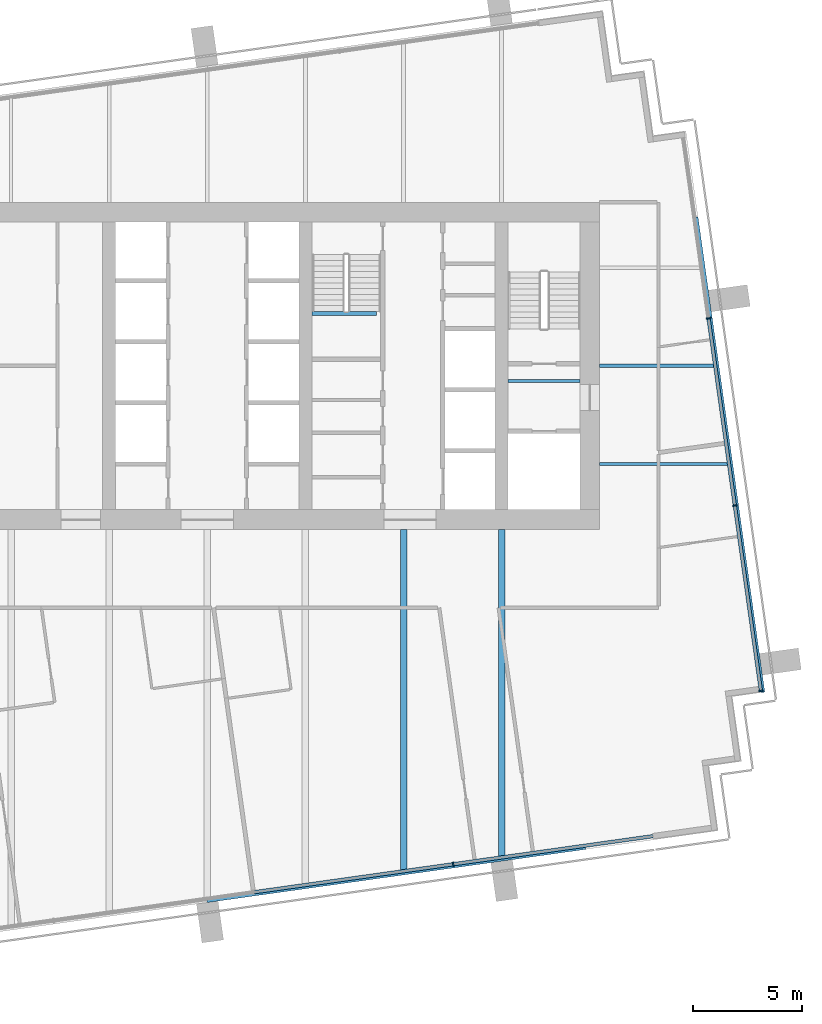
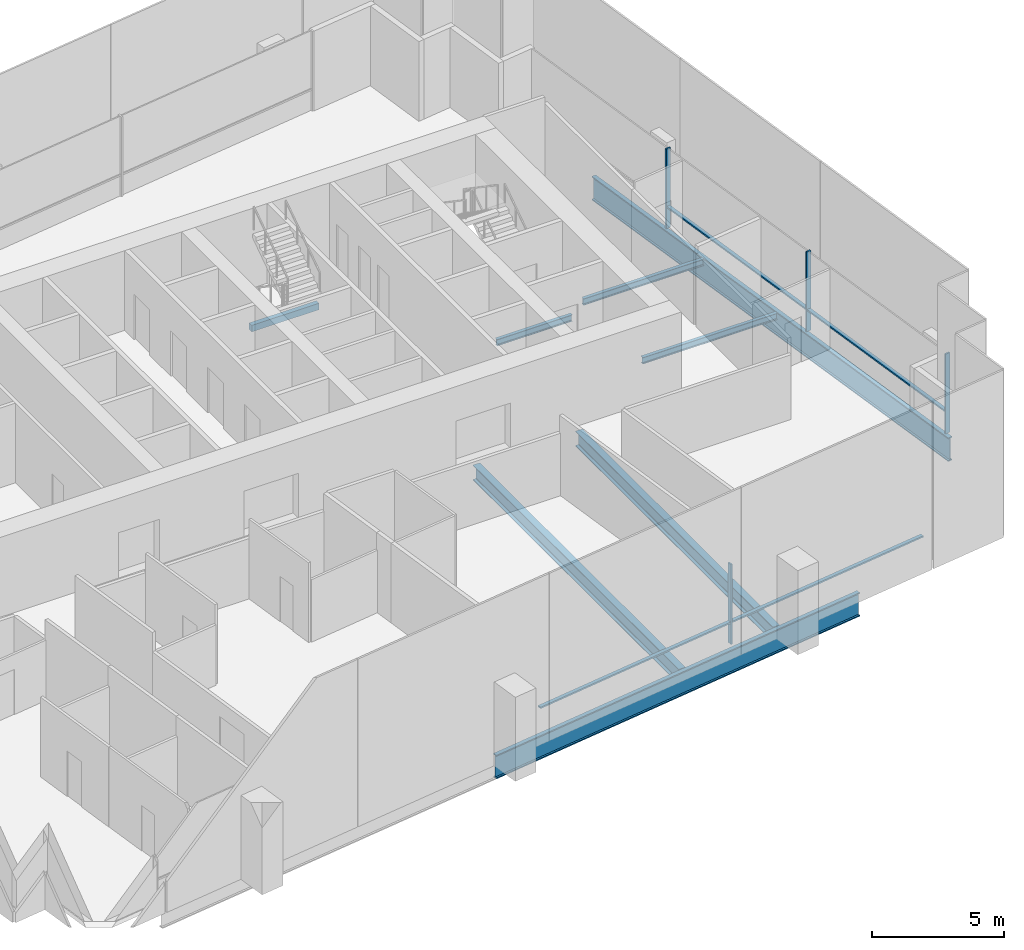
# One storey, part 4 of 15: 8 beams, 8 members, 2 elements without a shape of their own.
"""IFC4 building model written with IfcOpenShell, lengths in metres."""

from ifc_helpers import new_model, si_unit, direction, frame, origin, origin_2d, place, context, subcontext, project, spatial, rectangle, i_section, extrude, material, layer, layer_set, material_profile, profile_set, type_object, element, aggregate, save


model = new_model("IFC4")

# Units and contexts
model_context = context("Model", 3, precision=1e-05, world=origin(), true_north=direction((0.0, 1.0)))
body_context = subcontext(model_context, "Body", "Model", "MODEL_VIEW")
ifc_project = project(units=[si_unit("LENGTHUNIT", "METRE"), si_unit("AREAUNIT", "SQUARE_METRE"), si_unit("VOLUMEUNIT", "CUBIC_METRE"), si_unit("PLANEANGLEUNIT", "RADIAN"), si_unit("MASSUNIT", "GRAM", prefix="KILO")], contexts=[model_context])

# Site, building, storey
site_placement = place(None, origin())
site = spatial("IfcSite", under=ifc_project, at=site_placement, CompositionType="ELEMENT")
building_placement = place(site_placement, origin())
building = spatial("IfcBuilding", under=site, at=building_placement, Name="Rattan Terrace Tower", CompositionType="ELEMENT")
storey_placement = place(building_placement, frame((0.0, 0.0, 266.800048828125)))
storey = spatial("IfcBuildingStorey", under=building, at=storey_placement, Name="L61", CompositionType="ELEMENT", Elevation=266.800048828125)

# Beams
ifc_material_1 = material(Name="Concrete C40/50", Category="concrete")
ifc_material_profile_1 = material_profile(ifc_material_1, rectangle(XDim=0.199951171875, YDim=0.300048828125, at=origin_2d()), Name="RC 200x300")
ifc_profile_set_1 = profile_set([ifc_material_profile_1], Name="Concrete C40/50")
beam_type_1 = type_object("IfcBeamType", Name="Core landing beam RC 200x300", PredefinedType="BEAM", material=ifc_profile_set_1)
beam_1_placement = place(storey_placement, frame((4.800048828125, 2.39990234375, 1.599853515625), z_axis=(1.0, 0.0, 0.0), x_axis=(0.0, 1.0, 0.0)))
element("IfcBeam", 1, at=beam_1_placement, inside=storey, type_object=beam_type_1, Name="st-S3-L61 landing 1 edge beam", PredefinedType="BEAM", context=body_context, shape_type="SweptSolid", body=[
    extrude(rectangle(XDim=0.199951171875, YDim=0.300048828125, at=origin_2d()), origin(), (0.0, 0.0, 1.0), 2.949951171875),
])
ifc_material_2 = material(Name="Steel S460", Category="steel")
ifc_material_profile_2 = material_profile(ifc_material_2, i_section(OverallWidth=0.179931640625, OverallDepth=1.10009765625, WebThickness=0.01611328125, FlangeThickness=0.050048828125, at=origin_2d()), Name="PG 1100x180-16-50")
ifc_profile_set_2 = profile_set([ifc_material_profile_2], Name="Steel S460")
beam_type_2 = type_object("IfcBeamType", Name="Frame edge girder PG 1100x180-16-50", PredefinedType="SPANDREL", material=ifc_profile_set_2)
beam_2_placement = place(storey_placement, frame((17.347900390625, -22.087890625, -0.75), z_axis=(-0.990265878298, -0.139188685889, 0.0), x_axis=(0.139188685889, -0.990265878298, 0.0)))
element("IfcBeam", 2, at=beam_2_placement, inside=storey, type_object=beam_type_2, Name="gdr-L61-002", PredefinedType="SPANDREL", context=body_context, shape_type="SweptSolid", body=[
    extrude(i_section(OverallWidth=0.179931640625, OverallDepth=1.10009765625, WebThickness=0.01611328125, FlangeThickness=0.050048828125, at=origin_2d()), origin(), (0.0, 0.0, 1.0), 17.531494140625),
])
beam_3_placement = place(storey_placement, frame((22.4189453125, 6.822998046875, -0.75), z_axis=(0.139180574959, -0.990267018311, 0.0), x_axis=(0.990267018311, 0.139180574959, 0.0)))
element("IfcBeam", 3, at=beam_3_placement, inside=storey, type_object=beam_type_2, Name="gdr-L61-004", PredefinedType="SPANDREL", context=body_context, shape_type="SweptSolid", body=[
    extrude(i_section(OverallWidth=0.179931640625, OverallDepth=1.10009765625, WebThickness=0.01611328125, FlangeThickness=0.050048828125, at=origin_2d()), origin(), (0.0, 0.0, 1.0), 22.014404296875),
])
ifc_material_3 = material(Name="Steel S355", Category="steel")
ifc_material_profile_3 = material_profile(ifc_material_3, i_section(OverallWidth=0.300048828125, OverallDepth=0.699951171875, WebThickness=0.01708984375, FlangeThickness=0.031982421875, FilletRadius=0.027099609375, at=origin_2d()), Name="HE 700 B")
ifc_profile_set_3 = profile_set([ifc_material_profile_3], Name="Steel S355")
beam_type_3 = type_object("IfcBeamType", Name="Frame floor beam HE 700 B", PredefinedType="JOIST", material=ifc_profile_set_3)
beam_4_placement = place(storey_placement, frame((9.0, -23.14892578125, -0.550048828125), z_axis=(0.0, 1.0, 0.0), x_axis=(-1.0, 0.0, 0.0)))
element("IfcBeam", 4, at=beam_4_placement, inside=storey, type_object=beam_type_3, Name="bm-L61-008", PredefinedType="JOIST", context=body_context, shape_type="SweptSolid", body=[
    extrude(i_section(OverallWidth=0.300048828125, OverallDepth=0.699951171875, WebThickness=0.01708984375, FlangeThickness=0.031982421875, FilletRadius=0.027099609375, at=origin_2d()), origin(), (0.0, 0.0, 1.0), 15.64892578125),
])
beam_5_placement = place(storey_placement, frame((13.5, -22.51708984375, -0.550048828125), z_axis=(0.0, 1.0, 0.0), x_axis=(-1.0, 0.0, 0.0)))
element("IfcBeam", 5, at=beam_5_placement, inside=storey, type_object=beam_type_3, Name="bm-L61-009", PredefinedType="JOIST", context=body_context, shape_type="SweptSolid", body=[
    extrude(i_section(OverallWidth=0.300048828125, OverallDepth=0.699951171875, WebThickness=0.01708984375, FlangeThickness=0.031982421875, FilletRadius=0.027099609375, at=origin_2d()), origin(), (0.0, 0.0, 1.0), 15.01708984375),
])
ifc_material_4 = material(Name="Steel S355", Category="steel")
ifc_material_profile_4 = material_profile(ifc_material_4, i_section(OverallWidth=0.14990234375, OverallDepth=0.300048828125, WebThickness=0.007080078125, FlangeThickness=0.0107421875, FilletRadius=0.014892578125, at=origin_2d()), Name="IPE 300")
ifc_profile_set_4 = profile_set([ifc_material_profile_4], Name="Steel S355")
beam_type_4 = type_object("IfcBeamType", Name="Frame floor beam IPE 300", PredefinedType="JOIST", material=ifc_profile_set_4)
beam_6_placement = place(storey_placement, frame((13.800048828125, -0.695068359375, -0.35009765625), z_axis=(1.0, 0.0, 0.0), x_axis=(0.0, 1.0, 0.0)))
element("IfcBeam", 6, at=beam_6_placement, inside=storey, type_object=beam_type_4, Name="bm-L61-002", PredefinedType="JOIST", context=body_context, shape_type="SweptSolid", body=[
    extrude(i_section(OverallWidth=0.14990234375, OverallDepth=0.300048828125, WebThickness=0.007080078125, FlangeThickness=0.0107421875, FilletRadius=0.014892578125, at=origin_2d()), origin(), (0.0, 0.0, 1.0), 3.300048828125),
])
beam_7_placement = place(storey_placement, frame((18.0, -4.5, -0.35009765625), z_axis=(1.0, 0.0, 0.0), x_axis=(0.0, 1.0, 0.0)))
element("IfcBeam", 7, at=beam_7_placement, inside=storey, type_object=beam_type_4, Name="bm-L61-011", PredefinedType="JOIST", context=body_context, shape_type="SweptSolid", body=[
    extrude(i_section(OverallWidth=0.14990234375, OverallDepth=0.300048828125, WebThickness=0.007080078125, FlangeThickness=0.0107421875, FilletRadius=0.014892578125, at=origin_2d()), origin(), (0.0, 0.0, 1.0), 5.908935546875),
])
beam_8_placement = place(storey_placement, frame((18.0, 0.0, -0.35009765625), z_axis=(1.0, 0.0, 0.0), x_axis=(0.0, 1.0, 0.0)))
element("IfcBeam", 8, at=beam_8_placement, inside=storey, type_object=beam_type_4, Name="bm-L61-013", PredefinedType="JOIST", context=body_context, shape_type="SweptSolid", body=[
    extrude(i_section(OverallWidth=0.14990234375, OverallDepth=0.300048828125, WebThickness=0.007080078125, FlangeThickness=0.0107421875, FilletRadius=0.014892578125, at=origin_2d()), origin(), (0.0, 0.0, 1.0), 5.277099609375),
])

# Curtain wall, members
ifc_material_5 = material(Name="Aluminium and laminated glass", Category="aluminium")
ifc_layer = layer(ifc_material_5, 0.199951171875)
ifc_layer_set = layer_set([ifc_layer], Name="High-Zone Unitised Curtain Wall")
curtain_wall_type = type_object("IfcCurtainWallType", Name="High-Zone Unitised Curtain Wall", PredefinedType="NOTDEFINED", material=ifc_layer_set)
curtain_wall_1_placement = place(storey_placement, origin())
curtain_wall_1 = element("IfcCurtainWall", 9, at=curtain_wall_1_placement, inside=storey, type_object=curtain_wall_type, Name="High-zone curtain wall L61-1", PredefinedType="NOTDEFINED")
ifc_material_6 = material(Name="Aluminium", Category="aluminium")
ifc_material_profile_5 = material_profile(ifc_material_6, rectangle(XDim=0.070068359375, YDim=0.199951171875, at=origin_2d()), Name="Aluminium 70x200")
ifc_profile_set_5 = profile_set([ifc_material_profile_5], Name="Aluminium")
member_type_1 = type_object("IfcMemberType", Name="High-Zone CW Mullion 70x200", PredefinedType="MULLION", material=ifc_profile_set_5)
member_1_placement = place(storey_placement, frame((25.3916015625, -14.908447265625, 0.0), z_axis=(0.0, 0.0, 1.0), x_axis=(-0.139191775431, 0.990265444036, 0.0)))
member_1 = element("IfcMember", 10, at=member_1_placement, type_object=member_type_1, Name="Mullion cwl-L61-001.1", PredefinedType="MULLION", context=body_context, shape_type="SweptSolid", body=[
    extrude(rectangle(XDim=0.070068359375, YDim=0.199951171875, at=origin_2d()), origin(), (0.0, 0.0, 1.0), 3.699951171875),
])
member_2_placement = place(storey_placement, frame((24.1962890625, -6.405029296875, 0.0), z_axis=(0.0, 0.0, 1.0), x_axis=(-0.139191775431, 0.990265444036, 0.0)))
member_2 = element("IfcMember", 11, at=member_2_placement, type_object=member_type_1, Name="Mullion cwl-L61-001.2", PredefinedType="MULLION", context=body_context, shape_type="SweptSolid", body=[
    extrude(rectangle(XDim=0.070068359375, YDim=0.199951171875, at=origin_2d()), origin(), (0.0, 0.0, 1.0), 3.699951171875),
])
member_3_placement = place(storey_placement, frame((22.989990234375, 2.177490234375, 0.0), z_axis=(0.0, 0.0, 1.0), x_axis=(-0.139191775431, 0.990265444036, 0.0)))
member_3 = element("IfcMember", 12, at=member_3_placement, type_object=member_type_1, Name="Mullion cwl-L61-001.3", PredefinedType="MULLION", context=body_context, shape_type="SweptSolid", body=[
    extrude(rectangle(XDim=0.070068359375, YDim=0.199951171875, at=origin_2d()), origin(), (0.0, 0.0, 1.0), 3.699951171875),
])

# Curtain wall, member
curtain_wall_2_placement = place(storey_placement, origin())
curtain_wall_2 = element("IfcCurtainWall", 13, at=curtain_wall_2_placement, inside=storey, type_object=curtain_wall_type, Name="High-zone curtain wall L61-4", PredefinedType="NOTDEFINED")
member_4_placement = place(storey_placement, frame((11.27734375, -22.859619140625, 0.0), z_axis=(0.0, 0.0, 1.0), x_axis=(0.990265894013, 0.139188574079, 0.0)))
member_4 = element("IfcMember", 14, at=member_4_placement, type_object=member_type_1, Name="Mullion cwl-L61-004.4", PredefinedType="MULLION", context=body_context, shape_type="SweptSolid", body=[
    extrude(rectangle(XDim=0.070068359375, YDim=0.199951171875, at=origin_2d()), origin(), (0.0, 0.0, 1.0), 3.699951171875),
])

# Member
ifc_material_7 = material(Name="Aluminium", Category="aluminium")
ifc_material_profile_6 = material_profile(ifc_material_7, rectangle(XDim=0.159912109375, YDim=0.070068359375, at=origin_2d()), Name="Aluminium 160x70")
ifc_profile_set_6 = profile_set([ifc_material_profile_6], Name="Aluminium")
member_type_2 = type_object("IfcMemberType", Name="High-Zone CW Transom 160x70", PredefinedType="USERDEFINED", material=ifc_profile_set_6)
member_5_placement = place(storey_placement, frame((25.38671875, -14.873779296875, 1.0), z_axis=(-0.139197734293, 0.99026460644, 0.0), x_axis=(-0.99026460644, -0.139197734293, 0.0)))
member_5 = element("IfcMember", 15, at=member_5_placement, type_object=member_type_2, Name="Transom cwl-L61-001.1", ObjectType="TRANSOM", PredefinedType="USERDEFINED", context=body_context, shape_type="SweptSolid", body=[
    extrude(rectangle(XDim=0.159912109375, YDim=0.070068359375, at=origin_2d()), origin(), (0.0, 0.0, 1.0), 8.51708984375),
])

member_6_placement = place(storey_placement, frame((24.19140625, -6.370361328125, 1.0), z_axis=(-0.139182599995, 0.990266733693, 0.0), x_axis=(-0.990266733693, -0.139182599995, 0.0)))
member_6 = element("IfcMember", 16, at=member_6_placement, type_object=member_type_2, Name="Transom cwl-L61-001.2", ObjectType="TRANSOM", PredefinedType="USERDEFINED", context=body_context, shape_type="SweptSolid", body=[
    extrude(rectangle(XDim=0.159912109375, YDim=0.070068359375, at=origin_2d()), origin(), (0.0, 0.0, 1.0), 8.596923828125),
])

aggregate(curtain_wall_1, [member_1, member_2, member_3, member_5, member_6])

member_7_placement = place(storey_placement, frame((2.15283203125, -24.14208984375, 1.0), z_axis=(0.990266662415, 0.139183107123, 0.0), x_axis=(-0.139183107123, 0.990266662415, 0.0)))
member_7 = element("IfcMember", 17, at=member_7_placement, type_object=member_type_2, Name="Transom cwl-L61-004.3", ObjectType="TRANSOM", PredefinedType="USERDEFINED", context=body_context, shape_type="SweptSolid", body=[
    extrude(rectangle(XDim=0.159912109375, YDim=0.070068359375, at=origin_2d()), origin(), (0.0, 0.0, 1.0), 9.17919921875),
])

member_8_placement = place(storey_placement, frame((11.31201171875, -22.854736328125, 1.0), z_axis=(0.990263767768, 0.139203700545, 0.0), x_axis=(-0.139203700545, 0.990263767768, 0.0)))
member_8 = element("IfcMember", 18, at=member_8_placement, type_object=member_type_2, Name="Transom cwl-L61-004.4", ObjectType="TRANSOM", PredefinedType="USERDEFINED", context=body_context, shape_type="SweptSolid", body=[
    extrude(rectangle(XDim=0.159912109375, YDim=0.070068359375, at=origin_2d()), origin(), (0.0, 0.0, 1.0), 9.21826171875),
])

aggregate(curtain_wall_2, [member_4, member_7, member_8])

save(model, "model.ifc")
